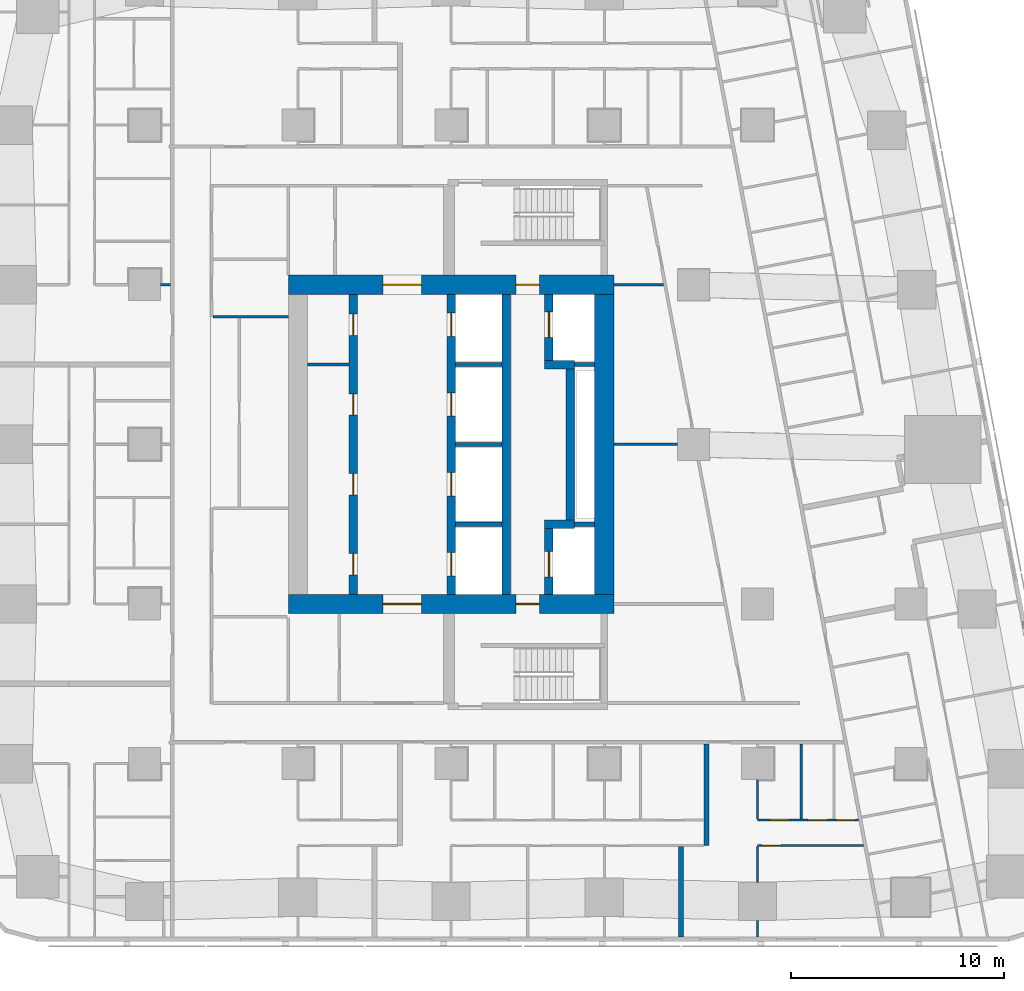
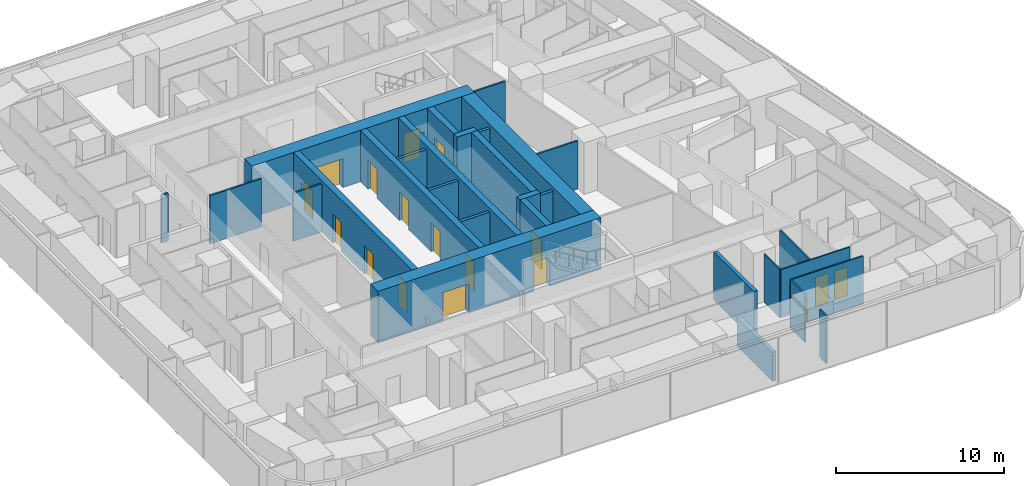
# One storey, part 6 of 15: 29 walls, 18 doors, 18 openings.
"""IFC4 building model written with IfcOpenShell, lengths in metres."""

import ifcopenshell
import ifcopenshell.guid

model = None  # the IFC model being written
_history = None  # IfcOwnerHistory: only IFC2X3 demands one
_inside = {}  # id of a spatial element -> (the spatial element, [elements in it])
_under = {}  # id of a project, library or spatial element -> (it, [spatial elements below it])
_declared = {}  # id of a project -> (the project, [libraries it declares])
_typed = {}  # id of a type object -> (the type object, [elements of that type])
_made_of = {}  # id of a material, layer set ... -> (it, [elements and type objects made of it])


def new_model(schema):
    """Start an empty IFC model of exactly this schema.

    Asked for "IFC4X3", IfcOpenShell would pick the latest addendum, in which some entities
    have other attributes; the version numbers below select the first issue.
    IFC2X3 requires an IfcOwnerHistory on every rooted entity: one is made here for all.
    """
    global model, _history
    if schema == "IFC4X3":
        model = ifcopenshell.file(schema_version=(4, 3, 0, 0))
    else:
        model = ifcopenshell.file(schema=schema)
    _inside.clear()
    _under.clear()
    _declared.clear()
    _typed.clear()
    _made_of.clear()
    _history = None
    if model.schema == "IFC2X3":
        org = make("IfcOrganization", Name="unknown")
        user = make(
            "IfcPersonAndOrganization",
            ThePerson=make("IfcPerson", FamilyName="unknown"),
            TheOrganization=org,
        )
        app = make(
            "IfcApplication",
            ApplicationDeveloper=org,
            Version="unknown",
            ApplicationFullName="unknown",
            ApplicationIdentifier="unknown",
        )
        _history = make(
            "IfcOwnerHistory",
            OwningUser=user,
            OwningApplication=app,
            ChangeAction="ADDED",
            CreationDate=0,
        )
    return model


def make(cls, **values):
    """One entity of the class cls with the attributes given. An attribute that is None is left unset."""
    return model.create_entity(
        cls, **{name: value for name, value in values.items() if value is not None}
    )


def rooted(cls, **values):
    """An entity with a GlobalId (a new one), such as an element, a storey or a relation."""
    return make(cls, GlobalId=ifcopenshell.guid.new(), OwnerHistory=_history, **values)


def si_unit(unit_type, name, prefix=None):
    """IfcSIUnit, for example si_unit("LENGTHUNIT", "METRE", prefix="MILLI")."""
    return make("IfcSIUnit", UnitType=unit_type, Prefix=prefix, Name=name)


def assignment(units):
    """IfcUnitAssignment: the units of a project."""
    return None if units is None else make("IfcUnitAssignment", Units=units)


def point(xyz):
    """IfcCartesianPoint."""
    return None if xyz is None else make("IfcCartesianPoint", Coordinates=xyz)


def direction(xyz):
    """IfcDirection."""
    return None if xyz is None else make("IfcDirection", DirectionRatios=xyz)


def frame(location, z_axis=None, x_axis=None):
    """IfcAxis2Placement3D, a coordinate frame: its origin and axes. An axis left out is left unset."""
    return make(
        "IfcAxis2Placement3D",
        Location=point(location),
        Axis=direction(z_axis),
        RefDirection=direction(x_axis),
    )


def frame_2d(location, x_axis=None):
    """IfcAxis2Placement2D, a coordinate frame in the plane: its origin and x axis."""
    return make(
        "IfcAxis2Placement2D", Location=point(location), RefDirection=direction(x_axis)
    )


def origin():
    """The frame at (0, 0, 0) with its axes left unset."""
    return frame((0.0, 0.0, 0.0))


def place(relative_to, where):
    """IfcLocalPlacement: puts the frame where relative to a parent placement (None: the world)."""
    return make(
        "IfcLocalPlacement", PlacementRelTo=relative_to, RelativePlacement=where
    )


def context(
    kind, dimensions, precision=None, world=None, true_north=None, identifier=None
):
    """IfcGeometricRepresentationContext, for example the 3D "Model" context."""
    return make(
        "IfcGeometricRepresentationContext",
        ContextIdentifier=identifier,
        ContextType=kind,
        CoordinateSpaceDimension=dimensions,
        Precision=precision,
        WorldCoordinateSystem=world,
        TrueNorth=true_north,
    )


def subcontext(parent, identifier, kind, view, scale=None):
    """IfcGeometricRepresentationSubContext, for example "Body" below "Model"."""
    return make(
        "IfcGeometricRepresentationSubContext",
        ContextIdentifier=identifier,
        ContextType=kind,
        ParentContext=parent,
        TargetScale=scale,
        TargetView=view,
    )


def project(units=None, contexts=None):
    """IfcProject with its units and contexts."""
    return rooted(
        "IfcProject",
        Name="project",
        RepresentationContexts=contexts,
        UnitsInContext=assignment(units),
    )


def spatial(cls, under=None, at=None, **own):
    """A site, building, storey or space (cls), placed at a placement, below another one or the project."""
    s = rooted(cls, ObjectPlacement=at, **own)
    if under is not None:
        _under.setdefault(under.id(), (under, []))[1].append(s)
    return s


def profile(cls, at=None, kind="AREA", **sizes):
    """A parametric profile (cls). Its sizes go by their IFC names, for example OverallWidth=200.0."""
    return make(cls, ProfileType=kind, Position=at, **sizes)


def rectangle(**sizes):
    """IfcRectangleProfileDef."""
    return profile("IfcRectangleProfileDef", **sizes)


def extrude(swept, where, along, depth):
    """IfcExtrudedAreaSolid: the profile swept, set in the frame where, extruded along a direction by depth."""
    return make(
        "IfcExtrudedAreaSolid",
        SweptArea=swept,
        Position=where,
        ExtrudedDirection=direction(along),
        Depth=depth,
    )


def shape(context_of_items, identifier, shape_type, items):
    """IfcShapeRepresentation: the items that make up one representation, for example the "Body"."""
    return make(
        "IfcShapeRepresentation",
        ContextOfItems=context_of_items,
        RepresentationIdentifier=identifier,
        RepresentationType=shape_type,
        Items=items,
    )


def material(Name=None, Category=None):
    """IfcMaterial."""
    return make("IfcMaterial", Name=Name, Category=Category)


def layer(
    of_material, thickness, ventilated=None, Name=None, Category=None, Priority=None
):
    """IfcMaterialLayer: one layer of a wall or slab, of a material (None: an air gap)."""
    return make(
        "IfcMaterialLayer",
        Material=of_material,
        LayerThickness=thickness,
        IsVentilated=ventilated,
        Name=Name,
        Category=Category,
        Priority=Priority,
    )


def layer_set(layers, Name=None):
    """IfcMaterialLayerSet."""
    return make("IfcMaterialLayerSet", MaterialLayers=layers, LayerSetName=Name)


def made_of(thing, what):
    """Note that an element or type object is made of a material, layer set ...; save() writes the relation."""
    if what is not None:
        _made_of.setdefault(what.id(), (what, []))[1].append(thing)
    return thing


def type_object(cls, material=None, **own):
    """A type object (cls), such as IfcWallType, which elements share."""
    return made_of(rooted(cls, **own), material)


def element(
    cls,
    number,
    at=None,
    inside=None,
    cuts=None,
    type_object=None,
    material=None,
    context=None,
    identifier="Body",
    shape_type=None,
    held_by="IfcProductDefinitionShape",
    body=None,
    shapes=None,
    **own,
):
    """One element of the class cls, such as IfcWall. Its Tag is "e" and its number.

    at: its placement. inside: the storey or other place that contains it. cuts: it is an
    opening in that element (IfcRelVoidsElement). A single representation is given by context,
    identifier, shape_type and body (its items); several are given by shapes. held_by: the class
    of the entity that holds the representations. save() writes the other relations.
    """
    e = rooted(cls, Tag="e%d" % number, ObjectPlacement=at, **own)
    if body is not None:
        shapes = [shape(context, identifier, shape_type, body)]
    if shapes is not None:
        e.Representation = make(held_by, Representations=shapes)
    if inside is not None:
        _inside.setdefault(inside.id(), (inside, []))[1].append(e)
    if cuts is not None:
        rooted(
            "IfcRelVoidsElement", RelatingBuildingElement=cuts, RelatedOpeningElement=e
        )
    if type_object is not None:
        _typed.setdefault(type_object.id(), (type_object, []))[1].append(e)
    return made_of(e, material)


def fill(opening, filler):
    """IfcRelFillsElement: the door or window that sits in an opening."""
    return rooted(
        "IfcRelFillsElement",
        RelatingOpeningElement=opening,
        RelatedBuildingElement=filler,
    )


def aggregate(whole, parts):
    """IfcRelAggregates: a whole, such as a stair, and the parts it consists of."""
    return rooted("IfcRelAggregates", RelatingObject=whole, RelatedObjects=parts)


def save(model, path):
    """Write the relations noted so far, then the file.

    IfcRelAggregates (storeys below a building ...), IfcRelContainedInSpatialStructure (elements
    in a storey), IfcRelDefinesByType, IfcRelAssociatesMaterial and IfcRelDeclares: one each for
    every whole, place, type object, material and project.
    """
    for whole, parts in _under.values():
        aggregate(whole, parts)
    for where, things in _inside.values():
        rooted(
            "IfcRelContainedInSpatialStructure",
            RelatedElements=things,
            RelatingStructure=where,
        )
    for kind, things in _typed.values():
        rooted("IfcRelDefinesByType", RelatedObjects=things, RelatingType=kind)
    for what, things in _made_of.values():
        rooted("IfcRelAssociatesMaterial", RelatedObjects=things, RelatingMaterial=what)
    for by, libraries in _declared.values():
        rooted("IfcRelDeclares", RelatingContext=by, RelatedDefinitions=libraries)
    model.write(path)


model = new_model("IFC4")

# Units and contexts
model_context = context("Model", 3, precision=1e-05, world=origin(), true_north=direction((0.0, 1.0)))
body_context = subcontext(model_context, "Body", "Model", "MODEL_VIEW")
ifc_project = project(units=[si_unit("LENGTHUNIT", "METRE"), si_unit("AREAUNIT", "SQUARE_METRE"), si_unit("VOLUMEUNIT", "CUBIC_METRE"), si_unit("PLANEANGLEUNIT", "RADIAN"), si_unit("MASSUNIT", "GRAM", prefix="KILO")], contexts=[model_context])

# Site, building, storey
site_placement = place(None, origin())
site = spatial("IfcSite", under=ifc_project, at=site_placement, CompositionType="ELEMENT")
building_placement = place(site_placement, origin())
building = spatial("IfcBuilding", under=site, at=building_placement, Name="Sheger Commons Tower", CompositionType="ELEMENT")
storey_placement = place(building_placement, frame((0.0, 0.0, 158.300048828125)))
storey = spatial("IfcBuildingStorey", under=building, at=storey_placement, Name="L40", CompositionType="ELEMENT", Elevation=158.300048828125)

# Wall, openings, doors
ifc_material_1 = material(Name="Concrete C50/60", Category="concrete")
ifc_layer_1 = layer(ifc_material_1, 0.39990234375)
ifc_layer_set_1 = layer_set([ifc_layer_1], Name="CORE INNER WALL 400")
wall_type_1 = type_object("IfcWallType", Name="CORE INNER WALL 400", PredefinedType="SHEAR", material=ifc_layer_set_1)
wall_1_placement = place(storey_placement, frame((17.0, 15.449951171875, 0.0), z_axis=(0.0, 0.0, 1.0), x_axis=(0.0, 1.0, 0.0)))
wall_1 = element("IfcWall", 1, at=wall_1_placement, inside=storey, type_object=wall_type_1, Name="Core inner wall A L40", PredefinedType="SHEAR", context=body_context, shape_type="SweptSolid", body=[
    extrude(rectangle(XDim=14.10009765625, YDim=0.39990234375, at=frame_2d((7.050048828125, 0.0))), origin(), (0.0, 0.0, 1.0), 3.75),
])
opening_1_placement = place(wall_1_placement, frame((0.925048828125, 0.0, 0.0)))
opening_1 = element("IfcOpeningElement", 2, at=opening_1_placement, cuts=wall_1, Name="Opening D4", PredefinedType="OPENING", context=body_context, shape_type="SweptSolid", body=[
    extrude(rectangle(XDim=1.0, YDim=2.10009765625, at=frame_2d((0.5, 1.050048828125))), frame((0.0, 0.2099609375, 0.0), z_axis=(0.0, -1.0, 0.0), x_axis=(1.0, 0.0, 0.0)), (0.0, 0.0, 1.0), 0.419921875),
])
opening_2_placement = place(wall_1_placement, frame((4.675048828125, 0.0, 0.0)))
opening_2 = element("IfcOpeningElement", 3, at=opening_2_placement, cuts=wall_1, Name="Opening D4", PredefinedType="OPENING", context=body_context, shape_type="SweptSolid", body=[
    extrude(rectangle(XDim=1.0, YDim=2.10009765625, at=frame_2d((0.5, 1.050048828125))), frame((0.0, 0.2099609375, 0.0), z_axis=(0.0, -1.0, 0.0), x_axis=(1.0, 0.0, 0.0)), (0.0, 0.0, 1.0), 0.419921875),
])
opening_3_placement = place(wall_1_placement, frame((8.425048828125, 0.0, 0.0)))
opening_3 = element("IfcOpeningElement", 4, at=opening_3_placement, cuts=wall_1, Name="Opening D4", PredefinedType="OPENING", context=body_context, shape_type="SweptSolid", body=[
    extrude(rectangle(XDim=1.0, YDim=2.10009765625, at=frame_2d((0.5, 1.050048828125))), frame((0.0, 0.2099609375, 0.0), z_axis=(0.0, -1.0, 0.0), x_axis=(1.0, 0.0, 0.0)), (0.0, 0.0, 1.0), 0.419921875),
])
opening_4_placement = place(wall_1_placement, frame((12.175048828125, 0.0, 0.0)))
opening_4 = element("IfcOpeningElement", 5, at=opening_4_placement, cuts=wall_1, Name="Opening D4", PredefinedType="OPENING", context=body_context, shape_type="SweptSolid", body=[
    extrude(rectangle(XDim=1.0, YDim=2.10009765625, at=frame_2d((0.5, 1.050048828125))), frame((0.0, 0.2099609375, 0.0), z_axis=(0.0, -1.0, 0.0), x_axis=(1.0, 0.0, 0.0)), (0.0, 0.0, 1.0), 0.419921875),
])
ifc_material_2 = material(Name="Steel door set, fire rated", Category="steel")
door_type_1 = type_object("IfcDoorType", Name="SERVICE DOOR 1000x2100", OperationType="NOTDEFINED", PredefinedType="DOOR", material=ifc_material_2)
door_1_placement = place(opening_1_placement, origin())
door_1 = element("IfcDoor", 6, at=door_1_placement, inside=storey, type_object=door_type_1, Name="Maintenance store door", OperationType="SINGLE_SWING_LEFT", OverallHeight=2.10009765625, OverallWidth=1.0, PredefinedType="DOOR", context=body_context, shape_type="SweptSolid", body=[
    extrude(rectangle(XDim=1.0, YDim=2.10009765625, at=frame_2d((0.5, 1.050048828125))), frame((0.0, 0.02490234375, 0.0), z_axis=(0.0, -1.0, 0.0), x_axis=(1.0, 0.0, 0.0)), (0.0, 0.0, 1.0), 0.050048828125),
])
fill(opening_1, door_1)
door_2_placement = place(opening_2_placement, origin())
door_2 = element("IfcDoor", 7, at=door_2_placement, inside=storey, type_object=door_type_1, Name="Maintenance store door", OperationType="SINGLE_SWING_LEFT", OverallHeight=2.10009765625, OverallWidth=1.0, PredefinedType="DOOR", context=body_context, shape_type="SweptSolid", body=[
    extrude(rectangle(XDim=1.0, YDim=2.10009765625, at=frame_2d((0.5, 1.050048828125))), frame((0.0, 0.02490234375, 0.0), z_axis=(0.0, -1.0, 0.0), x_axis=(1.0, 0.0, 0.0)), (0.0, 0.0, 1.0), 0.050048828125),
])
fill(opening_2, door_2)
door_3_placement = place(opening_3_placement, origin())
door_3 = element("IfcDoor", 8, at=door_3_placement, inside=storey, type_object=door_type_1, Name="Maintenance store door", OperationType="SINGLE_SWING_RIGHT", OverallHeight=2.10009765625, OverallWidth=1.0, PredefinedType="DOOR", context=body_context, shape_type="SweptSolid", body=[
    extrude(rectangle(XDim=1.0, YDim=2.10009765625, at=frame_2d((0.5, 1.050048828125))), frame((0.0, 0.02490234375, 0.0), z_axis=(0.0, -1.0, 0.0), x_axis=(1.0, 0.0, 0.0)), (0.0, 0.0, 1.0), 0.050048828125),
])
fill(opening_3, door_3)
door_4_placement = place(opening_4_placement, origin())
door_4 = element("IfcDoor", 9, at=door_4_placement, inside=storey, type_object=door_type_1, Name="Staff WC door", OperationType="SINGLE_SWING_RIGHT", OverallHeight=2.10009765625, OverallWidth=1.0, PredefinedType="DOOR", context=body_context, shape_type="SweptSolid", body=[
    extrude(rectangle(XDim=1.0, YDim=2.10009765625, at=frame_2d((0.5, 1.050048828125))), frame((0.0, 0.02490234375, 0.0), z_axis=(0.0, -1.0, 0.0), x_axis=(1.0, 0.0, 0.0)), (0.0, 0.0, 1.0), 0.050048828125),
])
fill(opening_4, door_4)

wall_2_placement = place(storey_placement, frame((21.60009765625, 15.449951171875, 0.0), z_axis=(0.0, 0.0, 1.0), x_axis=(0.0, 1.0, 0.0)))
wall_2 = element("IfcWall", 10, at=wall_2_placement, inside=storey, type_object=wall_type_1, Name="Core inner wall L L40", PredefinedType="SHEAR", context=body_context, shape_type="SweptSolid", body=[
    extrude(rectangle(XDim=14.10009765625, YDim=0.39990234375, at=frame_2d((7.050048828125, 0.0))), origin(), (0.0, 0.0, 1.0), 3.75),
])
opening_5_placement = place(wall_2_placement, frame((0.875, 0.0, 0.0)))
opening_5 = element("IfcOpeningElement", 11, at=opening_5_placement, cuts=wall_2, Name="Opening LD", PredefinedType="OPENING", context=body_context, shape_type="SweptSolid", body=[
    extrude(rectangle(XDim=1.10009765625, YDim=2.10009765625, at=frame_2d((0.550048828125, 1.050048828125))), frame((0.0, 0.2099609375, 0.0), z_axis=(0.0, -1.0, 0.0), x_axis=(1.0, 0.0, 0.0)), (0.0, 0.0, 1.0), 0.419921875),
])
opening_6_placement = place(wall_2_placement, frame((4.625, 0.0, 0.0)))
opening_6 = element("IfcOpeningElement", 12, at=opening_6_placement, cuts=wall_2, Name="Opening LD", PredefinedType="OPENING", context=body_context, shape_type="SweptSolid", body=[
    extrude(rectangle(XDim=1.10009765625, YDim=2.10009765625, at=frame_2d((0.550048828125, 1.050048828125))), frame((0.0, 0.2099609375, 0.0), z_axis=(0.0, -1.0, 0.0), x_axis=(1.0, 0.0, 0.0)), (0.0, 0.0, 1.0), 0.419921875),
])
opening_7_placement = place(wall_2_placement, frame((8.375, 0.0, 0.0)))
opening_7 = element("IfcOpeningElement", 13, at=opening_7_placement, cuts=wall_2, Name="Opening LD", PredefinedType="OPENING", context=body_context, shape_type="SweptSolid", body=[
    extrude(rectangle(XDim=1.10009765625, YDim=2.10009765625, at=frame_2d((0.550048828125, 1.050048828125))), frame((0.0, 0.2099609375, 0.0), z_axis=(0.0, -1.0, 0.0), x_axis=(1.0, 0.0, 0.0)), (0.0, 0.0, 1.0), 0.419921875),
])
opening_8_placement = place(wall_2_placement, frame((12.125, 0.0, 0.0)))
opening_8 = element("IfcOpeningElement", 14, at=opening_8_placement, cuts=wall_2, Name="Opening LD", PredefinedType="OPENING", context=body_context, shape_type="SweptSolid", body=[
    extrude(rectangle(XDim=1.10009765625, YDim=2.10009765625, at=frame_2d((0.550048828125, 1.050048828125))), frame((0.0, 0.2099609375, 0.0), z_axis=(0.0, -1.0, 0.0), x_axis=(1.0, 0.0, 0.0)), (0.0, 0.0, 1.0), 0.419921875),
])
ifc_material_3 = material(Name="Steel door set, fire rated", Category="steel")
door_type_2 = type_object("IfcDoorType", Name="LIFT LANDING DOOR 1100x2100", OperationType="DOUBLE_DOOR_SLIDING", PredefinedType="DOOR", material=ifc_material_3)
door_5_placement = place(opening_5_placement, origin())
door_5 = element("IfcDoor", 15, at=door_5_placement, inside=storey, type_object=door_type_2, Name="Lift LB1 landing door", OperationType="DOUBLE_DOOR_SLIDING", OverallHeight=2.10009765625, OverallWidth=1.10009765625, PredefinedType="DOOR", context=body_context, shape_type="SweptSolid", body=[
    extrude(rectangle(XDim=1.10009765625, YDim=2.10009765625, at=frame_2d((0.550048828125, 1.050048828125))), frame((0.0, 0.02490234375, 0.0), z_axis=(0.0, -1.0, 0.0), x_axis=(1.0, 0.0, 0.0)), (0.0, 0.0, 1.0), 0.050048828125),
])
fill(opening_5, door_5)
door_6_placement = place(opening_6_placement, origin())
door_6 = element("IfcDoor", 16, at=door_6_placement, inside=storey, type_object=door_type_2, Name="Lift LB2 landing door", OperationType="DOUBLE_DOOR_SLIDING", OverallHeight=2.10009765625, OverallWidth=1.10009765625, PredefinedType="DOOR", context=body_context, shape_type="SweptSolid", body=[
    extrude(rectangle(XDim=1.10009765625, YDim=2.10009765625, at=frame_2d((0.550048828125, 1.050048828125))), frame((0.0, 0.02490234375, 0.0), z_axis=(0.0, -1.0, 0.0), x_axis=(1.0, 0.0, 0.0)), (0.0, 0.0, 1.0), 0.050048828125),
])
fill(opening_6, door_6)
door_7_placement = place(opening_7_placement, origin())
door_7 = element("IfcDoor", 17, at=door_7_placement, inside=storey, type_object=door_type_2, Name="Lift LB3 landing door", OperationType="DOUBLE_DOOR_SLIDING", OverallHeight=2.10009765625, OverallWidth=1.10009765625, PredefinedType="DOOR", context=body_context, shape_type="SweptSolid", body=[
    extrude(rectangle(XDim=1.10009765625, YDim=2.10009765625, at=frame_2d((0.550048828125, 1.050048828125))), frame((0.0, 0.02490234375, 0.0), z_axis=(0.0, -1.0, 0.0), x_axis=(1.0, 0.0, 0.0)), (0.0, 0.0, 1.0), 0.050048828125),
])
fill(opening_7, door_7)
door_8_placement = place(opening_8_placement, origin())
door_8 = element("IfcDoor", 18, at=door_8_placement, inside=storey, type_object=door_type_2, Name="Lift LB4 landing door", OperationType="DOUBLE_DOOR_SLIDING", OverallHeight=2.10009765625, OverallWidth=1.10009765625, PredefinedType="DOOR", context=body_context, shape_type="SweptSolid", body=[
    extrude(rectangle(XDim=1.10009765625, YDim=2.10009765625, at=frame_2d((0.550048828125, 1.050048828125))), frame((0.0, 0.02490234375, 0.0), z_axis=(0.0, -1.0, 0.0), x_axis=(1.0, 0.0, 0.0)), (0.0, 0.0, 1.0), 0.050048828125),
])
fill(opening_8, door_8)

# Wall
wall_3_placement = place(storey_placement, frame((24.199951171875, 15.449951171875, 0.0), z_axis=(0.0, 0.0, 1.0), x_axis=(0.0, 1.0, 0.0)))
element("IfcWall", 19, at=wall_3_placement, inside=storey, type_object=wall_type_1, Name="Core inner wall B L40", PredefinedType="SHEAR", context=body_context, shape_type="SweptSolid", body=[
    extrude(rectangle(XDim=14.10009765625, YDim=0.39990234375, at=frame_2d((7.050048828125, 0.0))), origin(), (0.0, 0.0, 1.0), 3.75),
])

# Wall, opening, door
wall_4_placement = place(storey_placement, frame((26.199951171875, 15.449951171875, 0.0), z_axis=(0.0, 0.0, 1.0), x_axis=(0.0, 1.0, 0.0)))
wall_4 = element("IfcWall", 20, at=wall_4_placement, inside=storey, type_object=wall_type_1, Name="Core inner wall F L40", PredefinedType="SHEAR", context=body_context, shape_type="SweptSolid", body=[
    extrude(rectangle(XDim=3.10009765625, YDim=0.39990234375, at=frame_2d((1.550048828125, 0.0))), origin(), (0.0, 0.0, 1.0), 3.75),
])
opening_9_placement = place(wall_4_placement, frame((0.824951171875, 0.0, 0.0)))
opening_9 = element("IfcOpeningElement", 21, at=opening_9_placement, cuts=wall_4, Name="Opening LD2", PredefinedType="OPENING", context=body_context, shape_type="SweptSolid", body=[
    extrude(rectangle(XDim=1.199951171875, YDim=2.10009765625, at=frame_2d((0.60009765625, 1.050048828125))), frame((0.0, 0.2099609375, 0.0), z_axis=(0.0, -1.0, 0.0), x_axis=(1.0, 0.0, 0.0)), (0.0, 0.0, 1.0), 0.419921875),
])
ifc_material_4 = material(Name="Steel door set, fire rated", Category="steel")
door_type_3 = type_object("IfcDoorType", Name="FIREFIGHTING LIFT LANDING DOOR 1200x2100", OperationType="DOUBLE_DOOR_SLIDING", PredefinedType="DOOR", material=ifc_material_4)
door_9_placement = place(opening_9_placement, origin())
door_9 = element("IfcDoor", 22, at=door_9_placement, inside=storey, type_object=door_type_3, Name="Lift FL1 landing door", OperationType="DOUBLE_DOOR_SLIDING", OverallHeight=2.10009765625, OverallWidth=1.199951171875, PredefinedType="DOOR", context=body_context, shape_type="SweptSolid", body=[
    extrude(rectangle(XDim=1.199951171875, YDim=2.10009765625, at=frame_2d((0.60009765625, 1.050048828125))), frame((0.0, 0.02490234375, 0.0), z_axis=(0.0, -1.0, 0.0), x_axis=(1.0, 0.0, 0.0)), (0.0, 0.0, 1.0), 0.050048828125),
])
fill(opening_9, door_9)

# Walls
wall_5_placement = place(storey_placement, frame((26.0, 18.75, 0.0), z_axis=(0.0, 0.0, 1.0), x_axis=(1.0, 0.0, 0.0)))
element("IfcWall", 23, at=wall_5_placement, inside=storey, type_object=wall_type_1, Name="Core inner wall F south return L40", PredefinedType="SHEAR", context=body_context, shape_type="SweptSolid", body=[
    extrude(rectangle(XDim=1.39990234375, YDim=0.39990234375, at=frame_2d((0.699951171875, 0.0))), origin(), (0.0, 0.0, 1.0), 3.75),
])
wall_6_placement = place(storey_placement, frame((27.199951171875, 18.949951171875, 0.0), z_axis=(0.0, 0.0, 1.0), x_axis=(0.0, 1.0, 0.0)))
element("IfcWall", 24, at=wall_6_placement, inside=storey, type_object=wall_type_1, Name="Core inner wall F middle L40", PredefinedType="SHEAR", context=body_context, shape_type="SweptSolid", body=[
    extrude(rectangle(XDim=7.10009765625, YDim=0.39990234375, at=frame_2d((3.550048828125, 0.0))), origin(), (0.0, 0.0, 1.0), 3.75),
])
wall_7_placement = place(storey_placement, frame((26.0, 26.25, 0.0), z_axis=(0.0, 0.0, 1.0), x_axis=(1.0, 0.0, 0.0)))
element("IfcWall", 25, at=wall_7_placement, inside=storey, type_object=wall_type_1, Name="Core inner wall F north return L40", PredefinedType="SHEAR", context=body_context, shape_type="SweptSolid", body=[
    extrude(rectangle(XDim=1.39990234375, YDim=0.39990234375, at=frame_2d((0.699951171875, 0.0))), origin(), (0.0, 0.0, 1.0), 3.75),
])

# Wall, opening, door
wall_8_placement = place(storey_placement, frame((26.199951171875, 26.449951171875, 0.0), z_axis=(0.0, 0.0, 1.0), x_axis=(0.0, 1.0, 0.0)))
wall_8 = element("IfcWall", 26, at=wall_8_placement, inside=storey, type_object=wall_type_1, Name="Core inner wall F north L40", PredefinedType="SHEAR", context=body_context, shape_type="SweptSolid", body=[
    extrude(rectangle(XDim=3.10009765625, YDim=0.39990234375, at=frame_2d((1.550048828125, 0.0))), origin(), (0.0, 0.0, 1.0), 3.75),
])
opening_10_placement = place(wall_8_placement, frame((1.074951171875, 0.0, 0.0)))
opening_10 = element("IfcOpeningElement", 27, at=opening_10_placement, cuts=wall_8, Name="Opening LD2", PredefinedType="OPENING", context=body_context, shape_type="SweptSolid", body=[
    extrude(rectangle(XDim=1.199951171875, YDim=2.10009765625, at=frame_2d((0.60009765625, 1.050048828125))), frame((0.0, 0.2099609375, 0.0), z_axis=(0.0, -1.0, 0.0), x_axis=(1.0, 0.0, 0.0)), (0.0, 0.0, 1.0), 0.419921875),
])
door_10_placement = place(opening_10_placement, origin())
door_10 = element("IfcDoor", 28, at=door_10_placement, inside=storey, type_object=door_type_3, Name="Lift FL2 landing door", OperationType="DOUBLE_DOOR_SLIDING", OverallHeight=2.10009765625, OverallWidth=1.199951171875, PredefinedType="DOOR", context=body_context, shape_type="SweptSolid", body=[
    extrude(rectangle(XDim=1.199951171875, YDim=2.10009765625, at=frame_2d((0.60009765625, 1.050048828125))), frame((0.0, 0.02490234375, 0.0), z_axis=(0.0, -1.0, 0.0), x_axis=(1.0, 0.0, 0.0)), (0.0, 0.0, 1.0), 0.050048828125),
])
fill(opening_10, door_10)

# Wall, openings, doors
ifc_material_5 = material(Name="Concrete C50/60", Category="concrete")
ifc_layer_2 = layer(ifc_material_5, 0.89990234375)
ifc_layer_set_2 = layer_set([ifc_layer_2], Name="CORE WALL 900")
wall_type_2 = type_object("IfcWallType", Name="CORE WALL 900", PredefinedType="SHEAR", material=ifc_layer_set_2)
wall_9_placement = place(storey_placement, frame((13.949951171875, 15.0, 0.0), z_axis=(0.0, 0.0, 1.0), x_axis=(1.0, 0.0, 0.0)))
wall_9 = element("IfcWall", 29, at=wall_9_placement, inside=storey, type_object=wall_type_2, Name="Core wall south L40", PredefinedType="SHEAR", context=body_context, shape_type="SweptSolid", body=[
    extrude(rectangle(XDim=15.300048828125, YDim=0.89990234375, at=frame_2d((7.64990234375, 0.0))), origin(), (0.0, 0.0, 1.0), 3.75),
])
opening_11_placement = place(wall_9_placement, frame((4.449951171875, 0.0, 0.0)))
opening_11 = element("IfcOpeningElement", 30, at=opening_11_placement, cuts=wall_9, Name="Opening D6", PredefinedType="OPENING", context=body_context, shape_type="SweptSolid", body=[
    extrude(rectangle(XDim=1.800048828125, YDim=2.10009765625, at=frame_2d((0.89990234375, 1.050048828125))), frame((0.0, 0.4599609375, 0.0), z_axis=(0.0, -1.0, 0.0), x_axis=(1.0, 0.0, 0.0)), (0.0, 0.0, 1.0), 0.919921875),
])
opening_12_placement = place(wall_9_placement, frame((10.699951171875, 0.0, 0.0)))
opening_12 = element("IfcOpeningElement", 31, at=opening_12_placement, cuts=wall_9, Name="Opening D5", PredefinedType="OPENING", context=body_context, shape_type="SweptSolid", body=[
    extrude(rectangle(XDim=1.10009765625, YDim=2.10009765625, at=frame_2d((0.550048828125, 1.050048828125))), frame((0.0, 0.4599609375, 0.0), z_axis=(0.0, -1.0, 0.0), x_axis=(1.0, 0.0, 0.0)), (0.0, 0.0, 1.0), 0.919921875),
])
ifc_material_6 = material(Name="Steel door set, fire rated", Category="steel")
door_type_4 = type_object("IfcDoorType", Name="LOBBY DOUBLE DOOR 1800x2100", OperationType="DOUBLE_DOOR_SINGLE_SWING", PredefinedType="DOOR", material=ifc_material_6)
door_11_placement = place(opening_11_placement, origin())
door_11 = element("IfcDoor", 32, at=door_11_placement, inside=storey, type_object=door_type_4, Name="Lift lobby door", OperationType="DOUBLE_DOOR_SINGLE_SWING", OverallHeight=2.10009765625, OverallWidth=1.800048828125, PredefinedType="DOOR", context=body_context, shape_type="SweptSolid", body=[
    extrude(rectangle(XDim=1.800048828125, YDim=2.10009765625, at=frame_2d((0.89990234375, 1.050048828125))), frame((0.0, 0.02490234375, 0.0), z_axis=(0.0, -1.0, 0.0), x_axis=(1.0, 0.0, 0.0)), (0.0, 0.0, 1.0), 0.050048828125),
])
fill(opening_11, door_11)
ifc_material_7 = material(Name="Steel door set, fire rated", Category="steel")
door_type_5 = type_object("IfcDoorType", Name="STAIR DOOR 1100x2100", OperationType="NOTDEFINED", PredefinedType="DOOR", material=ifc_material_7)
door_12_placement = place(opening_12_placement, origin())
door_12 = element("IfcDoor", 33, at=door_12_placement, inside=storey, type_object=door_type_5, Name="Fire-fighting lobby door", OperationType="SINGLE_SWING_RIGHT", OverallHeight=2.10009765625, OverallWidth=1.10009765625, PredefinedType="DOOR", context=body_context, shape_type="SweptSolid", body=[
    extrude(rectangle(XDim=1.10009765625, YDim=2.10009765625, at=frame_2d((0.550048828125, 1.050048828125))), frame((0.0, 0.02490234375, 0.0), z_axis=(0.0, -1.0, 0.0), x_axis=(1.0, 0.0, 0.0)), (0.0, 0.0, 1.0), 0.050048828125),
])
fill(opening_12, door_12)

wall_10_placement = place(storey_placement, frame((13.949951171875, 30.0, 0.0), z_axis=(0.0, 0.0, 1.0), x_axis=(1.0, 0.0, 0.0)))
wall_10 = element("IfcWall", 34, at=wall_10_placement, inside=storey, type_object=wall_type_2, Name="Core wall north L40", PredefinedType="SHEAR", context=body_context, shape_type="SweptSolid", body=[
    extrude(rectangle(XDim=15.300048828125, YDim=0.89990234375, at=frame_2d((7.64990234375, 0.0))), origin(), (0.0, 0.0, 1.0), 3.75),
])
opening_13_placement = place(wall_10_placement, frame((4.449951171875, 0.0, 0.0)))
opening_13 = element("IfcOpeningElement", 35, at=opening_13_placement, cuts=wall_10, Name="Opening D6", PredefinedType="OPENING", context=body_context, shape_type="SweptSolid", body=[
    extrude(rectangle(XDim=1.800048828125, YDim=2.10009765625, at=frame_2d((0.89990234375, 1.050048828125))), frame((0.0, 0.4599609375, 0.0), z_axis=(0.0, -1.0, 0.0), x_axis=(1.0, 0.0, 0.0)), (0.0, 0.0, 1.0), 0.919921875),
])
opening_14_placement = place(wall_10_placement, frame((10.699951171875, 0.0, 0.0)))
opening_14 = element("IfcOpeningElement", 36, at=opening_14_placement, cuts=wall_10, Name="Opening D5", PredefinedType="OPENING", context=body_context, shape_type="SweptSolid", body=[
    extrude(rectangle(XDim=1.10009765625, YDim=2.10009765625, at=frame_2d((0.550048828125, 1.050048828125))), frame((0.0, 0.4599609375, 0.0), z_axis=(0.0, -1.0, 0.0), x_axis=(1.0, 0.0, 0.0)), (0.0, 0.0, 1.0), 0.919921875),
])
door_13_placement = place(opening_13_placement, origin())
door_13 = element("IfcDoor", 37, at=door_13_placement, inside=storey, type_object=door_type_4, Name="Lift lobby door", OperationType="DOUBLE_DOOR_SINGLE_SWING", OverallHeight=2.10009765625, OverallWidth=1.800048828125, PredefinedType="DOOR", context=body_context, shape_type="SweptSolid", body=[
    extrude(rectangle(XDim=1.800048828125, YDim=2.10009765625, at=frame_2d((0.89990234375, 1.050048828125))), frame((0.0, 0.02490234375, 0.0), z_axis=(0.0, -1.0, 0.0), x_axis=(1.0, 0.0, 0.0)), (0.0, 0.0, 1.0), 0.050048828125),
])
fill(opening_13, door_13)
door_14_placement = place(opening_14_placement, origin())
door_14 = element("IfcDoor", 38, at=door_14_placement, inside=storey, type_object=door_type_5, Name="Fire-fighting lobby door", OperationType="SINGLE_SWING_RIGHT", OverallHeight=2.10009765625, OverallWidth=1.10009765625, PredefinedType="DOOR", context=body_context, shape_type="SweptSolid", body=[
    extrude(rectangle(XDim=1.10009765625, YDim=2.10009765625, at=frame_2d((0.550048828125, 1.050048828125))), frame((0.0, 0.02490234375, 0.0), z_axis=(0.0, -1.0, 0.0), x_axis=(1.0, 0.0, 0.0)), (0.0, 0.0, 1.0), 0.050048828125),
])
fill(opening_14, door_14)

# Walls
wall_11_placement = place(storey_placement, frame((28.800048828125, 15.449951171875, 0.0), z_axis=(0.0, 0.0, 1.0), x_axis=(0.0, 1.0, 0.0)))
element("IfcWall", 39, at=wall_11_placement, inside=storey, type_object=wall_type_2, Name="Core wall east L40", PredefinedType="SHEAR", context=body_context, shape_type="SweptSolid", body=[
    extrude(rectangle(XDim=14.10009765625, YDim=0.89990234375, at=frame_2d((7.050048828125, 0.0))), origin(), (0.0, 0.0, 1.0), 3.75),
])
ifc_material_8 = material(Name="Dense concrete block masonry, plastered both sides (separating wall between flats)", Category="masonry")
ifc_layer_3 = layer(ifc_material_8, 0.25)
ifc_layer_set_3 = layer_set([ifc_layer_3], Name="DEMISING WALL 250")
wall_type_3 = type_object("IfcWallType", Name="DEMISING WALL 250", PredefinedType="SOLIDWALL", material=ifc_layer_set_3)
wall_12_placement = place(storey_placement, frame((32.39990234375, -0.64990234375, 0.0), z_axis=(0.0, 0.0, 1.0), x_axis=(0.0, 1.0, 0.0)))
element("IfcWall", 40, at=wall_12_placement, inside=storey, type_object=wall_type_3, Name="Demising wall L40", PredefinedType="SOLIDWALL", context=body_context, shape_type="SweptSolid", body=[
    extrude(rectangle(XDim=4.25, YDim=0.25, at=frame_2d((2.125, 0.0))), origin(), (0.0, 0.0, 1.0), 2.099853515625),
])
wall_13_placement = place(storey_placement, frame((33.59912109375, 3.64990234375, 0.0), z_axis=(0.0, 0.0, 1.0), x_axis=(0.0, 1.0, 0.0)))
element("IfcWall", 41, at=wall_13_placement, inside=storey, type_object=wall_type_3, Name="Demising wall L40", PredefinedType="SOLIDWALL", context=body_context, shape_type="SweptSolid", body=[
    extrude(rectangle(XDim=4.775146484375, YDim=0.25, at=frame_2d((2.3876953125, 0.0))), origin(), (0.0, 0.0, 1.0), 3.5),
])
ifc_material_9 = material(Name="Gypsum board on steel studs", Category="steel")
ifc_layer_4 = layer(ifc_material_9, 0.10009765625)
ifc_layer_set_4 = layer_set([ifc_layer_4], Name="PARTITION 100")
wall_type_4 = type_object("IfcWallType", Name="PARTITION 100", PredefinedType="PARTITIONING", material=ifc_layer_set_4)
wall_14_placement = place(storey_placement, frame((7.950927734375, 30.0, 0.0), z_axis=(0.0, 0.0, 1.0), x_axis=(1.0, 0.0, 0.0)))
element("IfcWall", 42, at=wall_14_placement, inside=storey, type_object=wall_type_4, Name="Partition L40", PredefinedType="PARTITIONING", context=body_context, shape_type="SweptSolid", body=[
    extrude(rectangle(XDim=0.47412109375, YDim=0.10009765625, at=frame_2d((0.237060546875, 0.0))), origin(), (0.0, 0.0, 1.0), 3.5),
])

# Wall, opening, door
wall_15_placement = place(storey_placement, frame((40.97412109375, 3.64990234375, 0.0), z_axis=(0.0, 0.0, 1.0), x_axis=(-1.0, 0.0, 0.0)))
wall_15 = element("IfcWall", 43, at=wall_15_placement, inside=storey, type_object=wall_type_4, Name="Partition L40", PredefinedType="PARTITIONING", context=body_context, shape_type="SweptSolid", body=[
    extrude(rectangle(XDim=4.97412109375, YDim=0.10009765625, at=frame_2d((2.487060546875, 0.0))), origin(), (0.0, 0.0, 1.0), 3.5),
])
opening_15_placement = place(wall_15_placement, frame((3.8740234375, 0.0, 0.0)))
opening_15 = element("IfcOpeningElement", 44, at=opening_15_placement, cuts=wall_15, Name="Opening D2", PredefinedType="OPENING", context=body_context, shape_type="SweptSolid", body=[
    extrude(rectangle(XDim=0.89990234375, YDim=2.10009765625, at=frame_2d((0.449951171875, 1.050048828125))), frame((0.0, 0.06005859375, 0.0), z_axis=(0.0, -1.0, 0.0), x_axis=(1.0, 0.0, 0.0)), (0.0, 0.0, 1.0), 0.1201171875),
])
ifc_material_10 = material(Name="Timber door set", Category="wood")
door_type_6 = type_object("IfcDoorType", Name="INTERNAL DOOR 900x2100", OperationType="NOTDEFINED", PredefinedType="DOOR", material=ifc_material_10)
door_15_placement = place(opening_15_placement, origin())
door_15 = element("IfcDoor", 45, at=door_15_placement, inside=storey, type_object=door_type_6, Name="Main bedroom door", OperationType="SINGLE_SWING_RIGHT", OverallHeight=2.10009765625, OverallWidth=0.89990234375, PredefinedType="DOOR", context=body_context, shape_type="SweptSolid", body=[
    extrude(rectangle(XDim=0.89990234375, YDim=2.10009765625, at=frame_2d((0.449951171875, 1.050048828125))), frame((0.0, 0.02490234375, 0.0), z_axis=(0.0, -1.0, 0.0), x_axis=(1.0, 0.0, 0.0)), (0.0, 0.0, 1.0), 0.050048828125),
])
fill(opening_15, door_15)

# Wall, openings, doors
wall_16_placement = place(storey_placement, frame((40.7470703125, 4.85009765625, 0.0), z_axis=(0.0, 0.0, 1.0), x_axis=(-1.0, 0.0, 0.0)))
wall_16 = element("IfcWall", 46, at=wall_16_placement, inside=storey, type_object=wall_type_4, Name="Partition L40", PredefinedType="PARTITIONING", context=body_context, shape_type="SweptSolid", body=[
    extrude(rectangle(XDim=4.7470703125, YDim=0.10009765625, at=frame_2d((2.37353515625, 0.0))), origin(), (0.0, 0.0, 1.0), 3.5),
])
opening_16_placement = place(wall_16_placement, frame((3.27197265625, 0.0, 0.0)))
opening_16 = element("IfcOpeningElement", 47, at=opening_16_placement, cuts=wall_16, Name="Opening D2", PredefinedType="OPENING", context=body_context, shape_type="SweptSolid", body=[
    extrude(rectangle(XDim=0.89990234375, YDim=2.10009765625, at=frame_2d((0.449951171875, 1.050048828125))), frame((0.0, 0.06005859375, 0.0), z_axis=(0.0, -1.0, 0.0), x_axis=(1.0, 0.0, 0.0)), (0.0, 0.0, 1.0), 0.1201171875),
])
opening_17_placement = place(wall_16_placement, frame((0.14990234375, 0.0, 0.0)))
opening_17 = element("IfcOpeningElement", 48, at=opening_17_placement, cuts=wall_16, Name="Opening D2", PredefinedType="OPENING", context=body_context, shape_type="SweptSolid", body=[
    extrude(rectangle(XDim=0.89990234375, YDim=2.10009765625, at=frame_2d((0.449951171875, 1.050048828125))), frame((0.0, 0.06005859375, 0.0), z_axis=(0.0, -1.0, 0.0), x_axis=(1.0, 0.0, 0.0)), (0.0, 0.0, 1.0), 0.1201171875),
])
opening_18_placement = place(wall_16_placement, frame((1.471923828125, 0.0, 0.0)))
opening_18 = element("IfcOpeningElement", 49, at=opening_18_placement, cuts=wall_16, Name="Opening D2", PredefinedType="OPENING", context=body_context, shape_type="SweptSolid", body=[
    extrude(rectangle(XDim=0.89990234375, YDim=2.10009765625, at=frame_2d((0.449951171875, 1.050048828125))), frame((0.0, 0.06005859375, 0.0), z_axis=(0.0, -1.0, 0.0), x_axis=(1.0, 0.0, 0.0)), (0.0, 0.0, 1.0), 0.1201171875),
])
door_16_placement = place(opening_16_placement, origin())
door_16 = element("IfcDoor", 50, at=door_16_placement, inside=storey, type_object=door_type_6, Name="Bathroom door", OperationType="SINGLE_SWING_LEFT", OverallHeight=2.10009765625, OverallWidth=0.89990234375, PredefinedType="DOOR", context=body_context, shape_type="SweptSolid", body=[
    extrude(rectangle(XDim=0.89990234375, YDim=2.10009765625, at=frame_2d((0.449951171875, 1.050048828125))), frame((0.0, 0.02490234375, 0.0), z_axis=(0.0, -1.0, 0.0), x_axis=(1.0, 0.0, 0.0)), (0.0, 0.0, 1.0), 0.050048828125),
])
fill(opening_16, door_16)
door_17_placement = place(opening_17_placement, origin())
door_17 = element("IfcDoor", 51, at=door_17_placement, inside=storey, type_object=door_type_6, Name="Laundry room door", OperationType="SINGLE_SWING_RIGHT", OverallHeight=2.10009765625, OverallWidth=0.89990234375, PredefinedType="DOOR", context=body_context, shape_type="SweptSolid", body=[
    extrude(rectangle(XDim=0.89990234375, YDim=2.10009765625, at=frame_2d((0.449951171875, 1.050048828125))), frame((0.0, 0.02490234375, 0.0), z_axis=(0.0, -1.0, 0.0), x_axis=(1.0, 0.0, 0.0)), (0.0, 0.0, 1.0), 0.050048828125),
])
fill(opening_17, door_17)
door_18_placement = place(opening_18_placement, origin())
door_18 = element("IfcDoor", 52, at=door_18_placement, inside=storey, type_object=door_type_6, Name="Store door", OperationType="SINGLE_SWING_RIGHT", OverallHeight=2.10009765625, OverallWidth=0.89990234375, PredefinedType="DOOR", context=body_context, shape_type="SweptSolid", body=[
    extrude(rectangle(XDim=0.89990234375, YDim=2.10009765625, at=frame_2d((0.449951171875, 1.050048828125))), frame((0.0, 0.02490234375, 0.0), z_axis=(0.0, -1.0, 0.0), x_axis=(1.0, 0.0, 0.0)), (0.0, 0.0, 1.0), 0.050048828125),
])
fill(opening_18, door_18)

# Walls
wall_17_placement = place(storey_placement, frame((36.0, -0.64990234375, 0.0), z_axis=(0.0, 0.0, 1.0), x_axis=(0.0, 1.0, 0.0)))
element("IfcWall", 53, at=wall_17_placement, inside=storey, type_object=wall_type_4, Name="Partition L40", PredefinedType="PARTITIONING", context=body_context, shape_type="SweptSolid", body=[
    extrude(rectangle(XDim=0.77392578125, YDim=0.10009765625, at=frame_2d((0.386962890625, 0.0))), origin(), (0.0, 0.0, 1.0), 3.5),
])
wall_18_placement = place(storey_placement, frame((36.0, 1.926025390625, 0.0), z_axis=(0.0, 0.0, 1.0), x_axis=(0.0, 1.0, 0.0)))
element("IfcWall", 54, at=wall_18_placement, inside=storey, type_object=wall_type_4, Name="Partition L40", PredefinedType="PARTITIONING", context=body_context, shape_type="SweptSolid", body=[
    extrude(rectangle(XDim=1.674072265625, YDim=0.10009765625, at=frame_2d((0.8369140625, 0.0))), origin(), (0.0, 0.0, 1.0), 3.5),
])
wall_19_placement = place(storey_placement, frame((36.0, 4.89990234375, 0.0), z_axis=(0.0, 0.0, 1.0), x_axis=(0.0, 1.0, 0.0)))
element("IfcWall", 55, at=wall_19_placement, inside=storey, type_object=wall_type_4, Name="Partition L40", PredefinedType="PARTITIONING", context=body_context, shape_type="SweptSolid", body=[
    extrude(rectangle(XDim=1.84912109375, YDim=0.10009765625, at=frame_2d((0.924560546875, 0.0))), origin(), (0.0, 0.0, 1.0), 3.5),
])
wall_20_placement = place(storey_placement, frame((38.050048828125, 4.89990234375, 0.0), z_axis=(0.0, 0.0, 1.0), x_axis=(0.0, 1.0, 0.0)))
element("IfcWall", 56, at=wall_20_placement, inside=storey, type_object=wall_type_4, Name="Partition L40", PredefinedType="PARTITIONING", context=body_context, shape_type="SweptSolid", body=[
    extrude(rectangle(XDim=3.525146484375, YDim=0.10009765625, at=frame_2d((1.7626953125, 0.0))), origin(), (0.0, 0.0, 1.0), 3.5),
])
ifc_material_11 = material(Name="Gypsum board on steel studs, two layers each side, fire rated", Category="steel")
ifc_layer_5 = layer(ifc_material_11, 0.125)
ifc_layer_set_5 = layer_set([ifc_layer_5], Name="SERVICE WALL 125")
wall_type_5 = type_object("IfcWallType", Name="SERVICE WALL 125", PredefinedType="PARTITIONING", material=ifc_layer_set_5)
wall_21_placement = place(storey_placement, frame((10.4130859375, 28.5, 0.0), z_axis=(0.0, 0.0, 1.0), x_axis=(1.0, 0.0, 0.0)))
element("IfcWall", 57, at=wall_21_placement, inside=storey, type_object=wall_type_5, Name="Service room wall L40", PredefinedType="PARTITIONING", context=body_context, shape_type="SweptSolid", body=[
    extrude(rectangle(XDim=3.536865234375, YDim=0.125, at=frame_2d((1.7685546875, 0.0))), origin(), (0.0, 0.0, 1.0), 3.5),
])
wall_22_placement = place(storey_placement, frame((29.25, 22.5, 0.0), z_axis=(0.0, 0.0, 1.0), x_axis=(1.0, 0.0, 0.0)))
element("IfcWall", 58, at=wall_22_placement, inside=storey, type_object=wall_type_5, Name="Service room wall L40", PredefinedType="PARTITIONING", context=body_context, shape_type="SweptSolid", body=[
    extrude(rectangle(XDim=2.9990234375, YDim=0.125, at=frame_2d((1.49951171875, 0.0))), origin(), (0.0, 0.0, 1.0), 3.5),
])
wall_23_placement = place(storey_placement, frame((29.25, 30.0, 0.0), z_axis=(0.0, 0.0, 1.0), x_axis=(1.0, 0.0, 0.0)))
element("IfcWall", 59, at=wall_23_placement, inside=storey, type_object=wall_type_5, Name="Service room wall L40", PredefinedType="PARTITIONING", context=body_context, shape_type="SweptSolid", body=[
    extrude(rectangle(XDim=2.342041015625, YDim=0.125, at=frame_2d((1.1708984375, 0.0))), origin(), (0.0, 0.0, 1.0), 3.5),
])
wall_24_placement = place(storey_placement, frame((14.85009765625, 26.25, 0.0), z_axis=(0.0, 0.0, 1.0), x_axis=(1.0, 0.0, 0.0)))
element("IfcWall", 60, at=wall_24_placement, inside=storey, type_object=wall_type_5, Name="Service room wall L40", PredefinedType="PARTITIONING", context=body_context, shape_type="SweptSolid", body=[
    extrude(rectangle(XDim=1.949951171875, YDim=0.125, at=frame_2d((0.97509765625, 0.0))), origin(), (0.0, 0.0, 1.0), 3.5),
])
ifc_material_12 = material(Name="Hollow concrete block masonry", Category="masonry")
ifc_layer_6 = layer(ifc_material_12, 0.199951171875)
ifc_layer_set_6 = layer_set([ifc_layer_6], Name="SHAFT WALL 200")
wall_type_6 = type_object("IfcWallType", Name="SHAFT WALL 200", PredefinedType="SOLIDWALL", material=ifc_layer_set_6)
for number, where, z_axis, x_axis, name in (
    (61, (21.800048828125, 18.75, 0.0), (0.0, 0.0, 1.0), (1.0, 0.0, 0.0), "Lift shaft wall L40"),
    (62, (21.800048828125, 22.5, 0.0), (0.0, 0.0, 1.0), (1.0, 0.0, 0.0), "Lift shaft wall L40"),
    (63, (21.800048828125, 26.25, 0.0), (0.0, 0.0, 1.0), (1.0, 0.0, 0.0), "Lift shaft wall L40"),
):
    element("IfcWall", number, at=place(storey_placement, frame(where, z_axis=z_axis, x_axis=x_axis)), inside=storey, type_object=wall_type_6, Name=name, PredefinedType="SOLIDWALL", context=body_context, shape_type="SweptSolid", body=[
        extrude(rectangle(XDim=2.199951171875, YDim=0.199951171875, at=frame_2d((1.10009765625, 0.0))), origin(), (0.0, 0.0, 1.0), 3.5),
    ])
for number, where, z_axis, x_axis, name in (
    (64, (27.39990234375, 18.75, 0.0), (0.0, 0.0, 1.0), (1.0, 0.0, 0.0), "Lift shaft wall L40"),
    (65, (27.39990234375, 26.25, 0.0), (0.0, 0.0, 1.0), (1.0, 0.0, 0.0), "Lift shaft wall L40"),
):
    element("IfcWall", number, at=place(storey_placement, frame(where, z_axis=z_axis, x_axis=x_axis)), inside=storey, type_object=wall_type_6, Name=name, PredefinedType="SOLIDWALL", context=body_context, shape_type="SweptSolid", body=[
        extrude(rectangle(XDim=0.9501953125, YDim=0.199951171875, at=frame_2d((0.47509765625, 0.0))), origin(), (0.0, 0.0, 1.0), 3.5),
    ])

save(model, "model.ifc")
